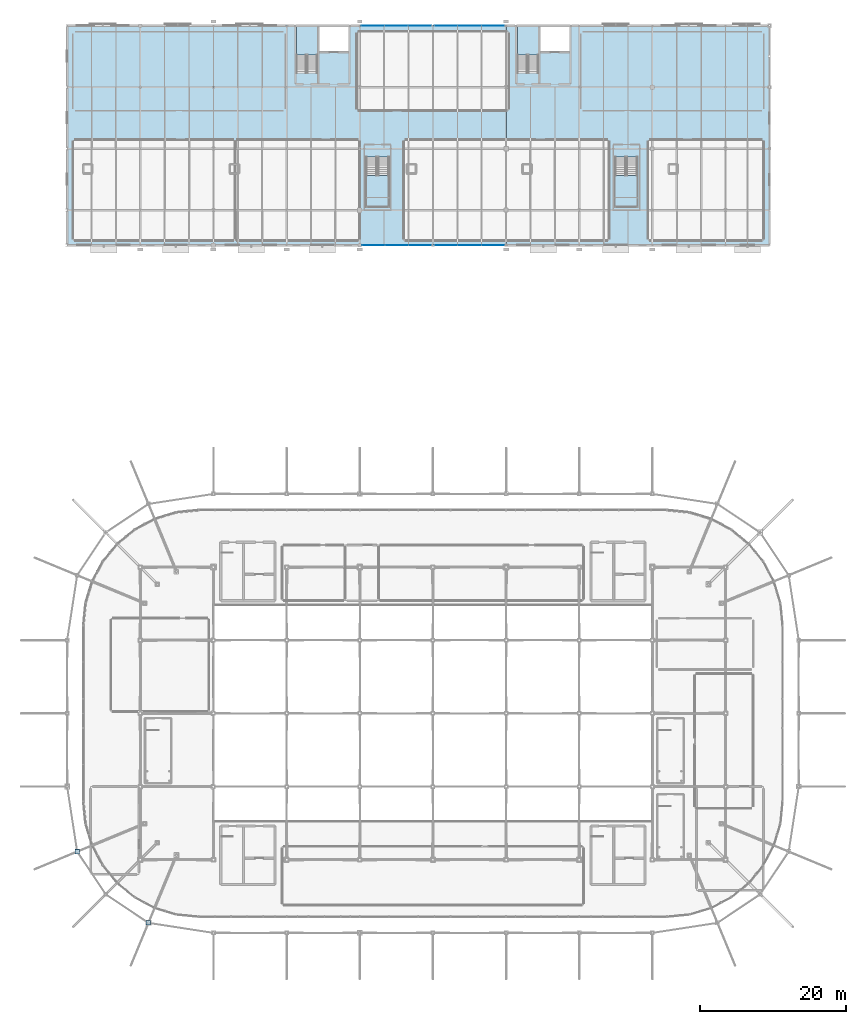
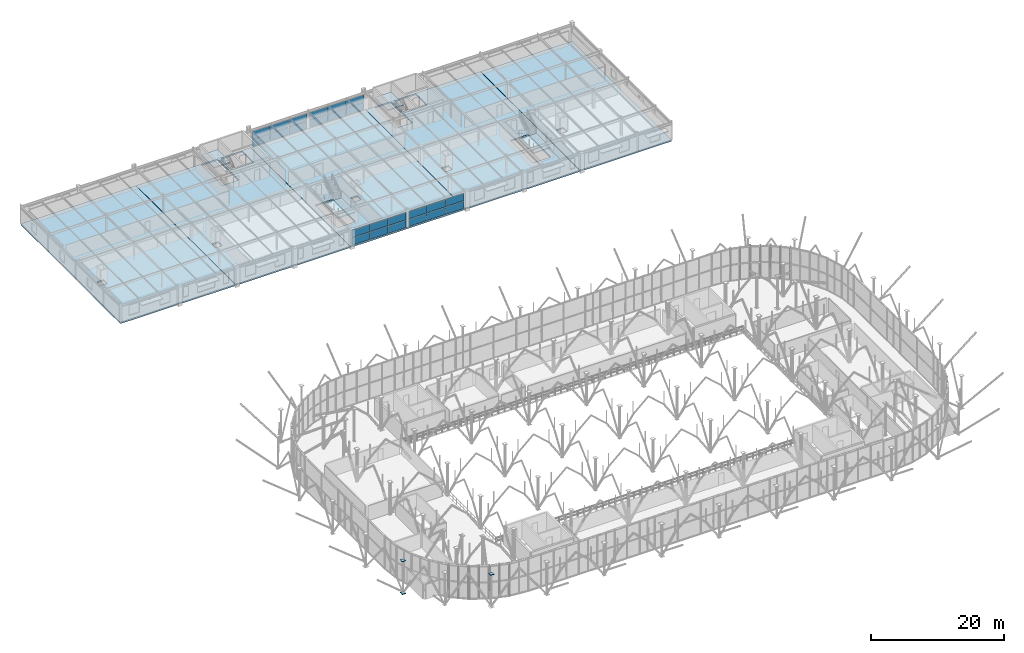
# One storey, part 92 of 109: 27 plates, 9 slabs, 8 elements without a shape of their own.
"""IFC4 building model written with IfcOpenShell, lengths in metres."""

from ifc_helpers import new_model, si_unit, derived_unit, direction, frame, origin, origin_2d_with_axis, place, context, subcontext, project, spatial, polyline, rectangle, outline, extrude, material, layer, layer_set, type_object, element, aggregate, save


model = new_model("IFC4")

# Units and contexts
model_context = context("Model", 3, precision=1e-05, world=origin(), true_north=direction((0.0, 1.0)))
body_context = subcontext(model_context, "Body", "Model", "MODEL_VIEW")
ifc_project = project(units=[si_unit("LENGTHUNIT", "METRE"), si_unit("AREAUNIT", "SQUARE_METRE"), si_unit("VOLUMEUNIT", "CUBIC_METRE"), si_unit("PLANEANGLEUNIT", "RADIAN"), si_unit("MASSUNIT", "GRAM", prefix="KILO"), derived_unit("THERMALTRANSMITTANCEUNIT", [(si_unit("POWERUNIT", "WATT"), 1), (si_unit("LENGTHUNIT", "METRE"), -2), (si_unit("THERMODYNAMICTEMPERATUREUNIT", "KELVIN"), -1)])], contexts=[model_context])

# Site, building, storey
site_placement = place(None, origin())
site = spatial("IfcSite", under=ifc_project, at=site_placement, CompositionType="ELEMENT")
building_placement = place(site_placement, origin())
building = spatial("IfcBuilding", under=site, at=building_placement, Name="Cinnabar Yard Market Hall", CompositionType="ELEMENT")
storey_placement = place(building_placement, frame((0.0, 0.0, 8.39990234375)))
storey = spatial("IfcBuildingStorey", under=building, at=storey_placement, Name="L02", CompositionType="ELEMENT", Elevation=8.39990234375)

# Curtain wall, plates
ifc_material_1 = material(Name="Anodised bronze aluminium courtyard facade", Category="aluminium")
curtain_wall_type_1 = type_object("IfcCurtainWallType", Name="CW-CWF096x29", PredefinedType="NOTDEFINED", material=ifc_material_1)
curtain_wall_1_placement = place(storey_placement, origin())
curtain_wall_1 = element("IfcCurtainWall", 1, at=curtain_wall_1_placement, inside=storey, type_object=curtain_wall_type_1, Name="Wing South Pishtaq Glazing L02 Bay 5", PredefinedType="NOTDEFINED")
ifc_material_2 = material(Name="Low-E laminated glass", Category="glass")
ifc_layer_1 = layer(ifc_material_2, 0.031982421875)
ifc_layer_set_1 = layer_set([ifc_layer_1], Name="Low-E laminated glass")
plate_type_1 = type_object("IfcPlateType", Name="CWP-GP308x135", PredefinedType="CURTAIN_PANEL", material=ifc_layer_set_1)
plate_1_placement = place(storey_placement, frame((107.870361328125, 108.0, 0.0751953125), z_axis=(0.0, 0.0, 1.0), x_axis=(1.0, 0.0, 0.0)))
plate_1 = element("IfcPlate", 2, at=plate_1_placement, type_object=plate_type_1, Name="CWF096x29 panel 1.1", PredefinedType="CURTAIN_PANEL", context=body_context, shape_type="SweptSolid", body=[
    extrude(rectangle(XDim=3.082763671875, YDim=0.031982421875, at=origin_2d_with_axis()), origin(), (0.0, 0.0, 1.0), 1.347412109375),
])
plate_2_placement = place(storey_placement, frame((107.870361328125, 108.0, 1.49755859375), z_axis=(0.0, 0.0, 1.0), x_axis=(1.0, 0.0, 0.0)))
plate_2 = element("IfcPlate", 3, at=plate_2_placement, type_object=plate_type_1, Name="CWF096x29 panel 1.2", PredefinedType="CURTAIN_PANEL", context=body_context, shape_type="SweptSolid", body=[
    extrude(rectangle(XDim=3.082763671875, YDim=0.031982421875, at=origin_2d_with_axis()), origin(), (0.0, 0.0, 1.0), 1.347412109375),
])
plate_3_placement = place(storey_placement, frame((114.2236328125, 108.0, 0.0751953125), z_axis=(0.0, 0.0, 1.0), x_axis=(1.0, 0.0, 0.0)))
plate_3 = element("IfcPlate", 4, at=plate_3_placement, type_object=plate_type_1, Name="CWF096x29 panel 3.1", PredefinedType="CURTAIN_PANEL", context=body_context, shape_type="SweptSolid", body=[
    extrude(rectangle(XDim=3.082763671875, YDim=0.031982421875, at=origin_2d_with_axis()), origin(), (0.0, 0.0, 1.0), 1.347412109375),
])
plate_4_placement = place(storey_placement, frame((114.2236328125, 108.0, 1.49755859375), z_axis=(0.0, 0.0, 1.0), x_axis=(1.0, 0.0, 0.0)))
plate_4 = element("IfcPlate", 5, at=plate_4_placement, type_object=plate_type_1, Name="CWF096x29 panel 3.2", PredefinedType="CURTAIN_PANEL", context=body_context, shape_type="SweptSolid", body=[
    extrude(rectangle(XDim=3.082763671875, YDim=0.031982421875, at=origin_2d_with_axis()), origin(), (0.0, 0.0, 1.0), 1.347412109375),
])

curtain_wall_type_2 = type_object("IfcCurtainWallType", Name="CW-CWF097x29", PredefinedType="NOTDEFINED", material=ifc_material_1)
curtain_wall_2_placement = place(storey_placement, origin())
curtain_wall_2 = element("IfcCurtainWall", 6, at=curtain_wall_2_placement, inside=storey, type_object=curtain_wall_type_2, Name="Wing North Pishtaq Glazing L02 Bay 5", PredefinedType="NOTDEFINED")
ifc_layer_2 = layer(ifc_material_2, 0.031982421875)
ifc_layer_set_2 = layer_set([ifc_layer_2], Name="Low-E laminated glass")
plate_type_2 = type_object("IfcPlateType", Name="CWP-GP311x135", PredefinedType="CURTAIN_PANEL", material=ifc_layer_set_2)
plate_5_placement = place(storey_placement, frame((114.2080078125, 138.0, 0.0751953125), z_axis=(0.0, 0.0, 1.0), x_axis=(-1.0, 0.0, 0.0)))
plate_5 = element("IfcPlate", 7, at=plate_5_placement, type_object=plate_type_2, Name="CWF097x29 panel 1.1", PredefinedType="CURTAIN_PANEL", context=body_context, shape_type="SweptSolid", body=[
    extrude(rectangle(XDim=3.1142578125, YDim=0.031982421875, at=origin_2d_with_axis()), origin(), (0.0, 0.0, 1.0), 1.347412109375),
])
plate_6_placement = place(storey_placement, frame((114.2080078125, 138.0, 1.49755859375), z_axis=(0.0, 0.0, 1.0), x_axis=(-1.0, 0.0, 0.0)))
plate_6 = element("IfcPlate", 8, at=plate_6_placement, type_object=plate_type_2, Name="CWF097x29 panel 1.2", PredefinedType="CURTAIN_PANEL", context=body_context, shape_type="SweptSolid", body=[
    extrude(rectangle(XDim=3.1142578125, YDim=0.031982421875, at=origin_2d_with_axis()), origin(), (0.0, 0.0, 1.0), 1.347412109375),
])
plate_7_placement = place(storey_placement, frame((107.7919921875, 138.0, 0.0751953125), z_axis=(0.0, 0.0, 1.0), x_axis=(-1.0, 0.0, 0.0)))
plate_7 = element("IfcPlate", 9, at=plate_7_placement, type_object=plate_type_2, Name="CWF097x29 panel 3.1", PredefinedType="CURTAIN_PANEL", context=body_context, shape_type="SweptSolid", body=[
    extrude(rectangle(XDim=3.1142578125, YDim=0.031982421875, at=origin_2d_with_axis()), origin(), (0.0, 0.0, 1.0), 1.347412109375),
])
plate_8_placement = place(storey_placement, frame((107.7919921875, 138.0, 1.49755859375), z_axis=(0.0, 0.0, 1.0), x_axis=(-1.0, 0.0, 0.0)))
plate_8 = element("IfcPlate", 10, at=plate_8_placement, type_object=plate_type_2, Name="CWF097x29 panel 3.2", PredefinedType="CURTAIN_PANEL", context=body_context, shape_type="SweptSolid", body=[
    extrude(rectangle(XDim=3.1142578125, YDim=0.031982421875, at=origin_2d_with_axis()), origin(), (0.0, 0.0, 1.0), 1.347412109375),
])

curtain_wall_3_placement = place(storey_placement, origin())
curtain_wall_3 = element("IfcCurtainWall", 11, at=curtain_wall_3_placement, inside=storey, type_object=curtain_wall_type_2, Name="Wing South Pishtaq Glazing L02 Bay 6", PredefinedType="NOTDEFINED")
plate_9_placement = place(storey_placement, frame((117.7919921875, 108.0, 0.0751953125), z_axis=(0.0, 0.0, 1.0), x_axis=(1.0, 0.0, 0.0)))
plate_9 = element("IfcPlate", 12, at=plate_9_placement, type_object=plate_type_2, Name="CWF097x29 panel 1.1", PredefinedType="CURTAIN_PANEL", context=body_context, shape_type="SweptSolid", body=[
    extrude(rectangle(XDim=3.1142578125, YDim=0.031982421875, at=origin_2d_with_axis()), origin(), (0.0, 0.0, 1.0), 1.347412109375),
])
plate_10_placement = place(storey_placement, frame((117.7919921875, 108.0, 1.49755859375), z_axis=(0.0, 0.0, 1.0), x_axis=(1.0, 0.0, 0.0)))
plate_10 = element("IfcPlate", 13, at=plate_10_placement, type_object=plate_type_2, Name="CWF097x29 panel 1.2", PredefinedType="CURTAIN_PANEL", context=body_context, shape_type="SweptSolid", body=[
    extrude(rectangle(XDim=3.1142578125, YDim=0.031982421875, at=origin_2d_with_axis()), origin(), (0.0, 0.0, 1.0), 1.347412109375),
])
plate_11_placement = place(storey_placement, frame((124.2080078125, 108.0, 0.0751953125), z_axis=(0.0, 0.0, 1.0), x_axis=(1.0, 0.0, 0.0)))
plate_11 = element("IfcPlate", 14, at=plate_11_placement, type_object=plate_type_2, Name="CWF097x29 panel 3.1", PredefinedType="CURTAIN_PANEL", context=body_context, shape_type="SweptSolid", body=[
    extrude(rectangle(XDim=3.1142578125, YDim=0.031982421875, at=origin_2d_with_axis()), origin(), (0.0, 0.0, 1.0), 1.347412109375),
])
plate_12_placement = place(storey_placement, frame((124.2080078125, 108.0, 1.49755859375), z_axis=(0.0, 0.0, 1.0), x_axis=(1.0, 0.0, 0.0)))
plate_12 = element("IfcPlate", 15, at=plate_12_placement, type_object=plate_type_2, Name="CWF097x29 panel 3.2", PredefinedType="CURTAIN_PANEL", context=body_context, shape_type="SweptSolid", body=[
    extrude(rectangle(XDim=3.1142578125, YDim=0.031982421875, at=origin_2d_with_axis()), origin(), (0.0, 0.0, 1.0), 1.347412109375),
])

curtain_wall_4_placement = place(storey_placement, origin())
curtain_wall_4 = element("IfcCurtainWall", 16, at=curtain_wall_4_placement, inside=storey, type_object=curtain_wall_type_2, Name="Wing North Pishtaq Glazing L02 Bay 6", PredefinedType="NOTDEFINED")
plate_13_placement = place(storey_placement, frame((124.2080078125, 138.0, 0.0751953125), z_axis=(0.0, 0.0, 1.0), x_axis=(-1.0, 0.0, 0.0)))
plate_13 = element("IfcPlate", 17, at=plate_13_placement, type_object=plate_type_2, Name="CWF097x29 panel 1.1", PredefinedType="CURTAIN_PANEL", context=body_context, shape_type="SweptSolid", body=[
    extrude(rectangle(XDim=3.1142578125, YDim=0.031982421875, at=origin_2d_with_axis()), origin(), (0.0, 0.0, 1.0), 1.347412109375),
])
plate_14_placement = place(storey_placement, frame((124.2080078125, 138.0, 1.49755859375), z_axis=(0.0, 0.0, 1.0), x_axis=(-1.0, 0.0, 0.0)))
plate_14 = element("IfcPlate", 18, at=plate_14_placement, type_object=plate_type_2, Name="CWF097x29 panel 1.2", PredefinedType="CURTAIN_PANEL", context=body_context, shape_type="SweptSolid", body=[
    extrude(rectangle(XDim=3.1142578125, YDim=0.031982421875, at=origin_2d_with_axis()), origin(), (0.0, 0.0, 1.0), 1.347412109375),
])
plate_15_placement = place(storey_placement, frame((117.7919921875, 138.0, 0.0751953125), z_axis=(0.0, 0.0, 1.0), x_axis=(-1.0, 0.0, 0.0)))
plate_15 = element("IfcPlate", 19, at=plate_15_placement, type_object=plate_type_2, Name="CWF097x29 panel 3.1", PredefinedType="CURTAIN_PANEL", context=body_context, shape_type="SweptSolid", body=[
    extrude(rectangle(XDim=3.1142578125, YDim=0.031982421875, at=origin_2d_with_axis()), origin(), (0.0, 0.0, 1.0), 1.347412109375),
])
plate_16_placement = place(storey_placement, frame((117.7919921875, 138.0, 1.49755859375), z_axis=(0.0, 0.0, 1.0), x_axis=(-1.0, 0.0, 0.0)))
plate_16 = element("IfcPlate", 20, at=plate_16_placement, type_object=plate_type_2, Name="CWF097x29 panel 3.2", PredefinedType="CURTAIN_PANEL", context=body_context, shape_type="SweptSolid", body=[
    extrude(rectangle(XDim=3.1142578125, YDim=0.031982421875, at=origin_2d_with_axis()), origin(), (0.0, 0.0, 1.0), 1.347412109375),
])

# Plate
ifc_layer_3 = layer(ifc_material_2, 0.031982421875)
ifc_layer_set_3 = layer_set([ifc_layer_3], Name="Low-E laminated glass")
plate_type_3 = type_object("IfcPlateType", Name="CWP-GP312x135", PredefinedType="CURTAIN_PANEL", material=ifc_layer_set_3)
plate_17_placement = place(storey_placement, frame((111.047119140625, 108.0, 0.0751953125), z_axis=(0.0, 0.0, 1.0), x_axis=(1.0, 0.0, 0.0)))
plate_17 = element("IfcPlate", 21, at=plate_17_placement, type_object=plate_type_3, Name="CWF096x29 panel 2.1", PredefinedType="CURTAIN_PANEL", context=body_context, shape_type="SweptSolid", body=[
    extrude(rectangle(XDim=3.120361328125, YDim=0.031982421875, at=origin_2d_with_axis()), origin(), (0.0, 0.0, 1.0), 1.347412109375),
])

plate_18_placement = place(storey_placement, frame((111.047119140625, 108.0, 1.49755859375), z_axis=(0.0, 0.0, 1.0), x_axis=(1.0, 0.0, 0.0)))
plate_18 = element("IfcPlate", 22, at=plate_18_placement, type_object=plate_type_3, Name="CWF096x29 panel 2.2", PredefinedType="CURTAIN_PANEL", context=body_context, shape_type="SweptSolid", body=[
    extrude(rectangle(XDim=3.120361328125, YDim=0.031982421875, at=origin_2d_with_axis()), origin(), (0.0, 0.0, 1.0), 1.347412109375),
])

aggregate(curtain_wall_1, [plate_1, plate_2, plate_17, plate_18, plate_3, plate_4])

ifc_layer_4 = layer(ifc_material_2, 0.031982421875)
ifc_layer_set_4 = layer_set([ifc_layer_4], Name="Low-E laminated glass")
plate_type_4 = type_object("IfcPlateType", Name="CWP-GP315x135", PredefinedType="CURTAIN_PANEL", material=ifc_layer_set_4)
plate_19_placement = place(storey_placement, frame((111.0, 138.0, 0.0751953125), z_axis=(0.0, 0.0, 1.0), x_axis=(-1.0, 0.0, 0.0)))
plate_19 = element("IfcPlate", 23, at=plate_19_placement, type_object=plate_type_4, Name="CWF097x29 panel 2.1", PredefinedType="CURTAIN_PANEL", context=body_context, shape_type="SweptSolid", body=[
    extrude(rectangle(XDim=3.151611328125, YDim=0.031982421875, at=origin_2d_with_axis()), origin(), (0.0, 0.0, 1.0), 1.347412109375),
])

plate_20_placement = place(storey_placement, frame((111.0, 138.0, 1.49755859375), z_axis=(0.0, 0.0, 1.0), x_axis=(-1.0, 0.0, 0.0)))
plate_20 = element("IfcPlate", 24, at=plate_20_placement, type_object=plate_type_4, Name="CWF097x29 panel 2.2", PredefinedType="CURTAIN_PANEL", context=body_context, shape_type="SweptSolid", body=[
    extrude(rectangle(XDim=3.151611328125, YDim=0.031982421875, at=origin_2d_with_axis()), origin(), (0.0, 0.0, 1.0), 1.347412109375),
])

aggregate(curtain_wall_2, [plate_5, plate_6, plate_19, plate_20, plate_7, plate_8])

plate_21_placement = place(storey_placement, frame((121.0, 108.0, 0.0751953125), z_axis=(0.0, 0.0, 1.0), x_axis=(1.0, 0.0, 0.0)))
plate_21 = element("IfcPlate", 25, at=plate_21_placement, type_object=plate_type_4, Name="CWF097x29 panel 2.1", PredefinedType="CURTAIN_PANEL", context=body_context, shape_type="SweptSolid", body=[
    extrude(rectangle(XDim=3.151611328125, YDim=0.031982421875, at=origin_2d_with_axis()), origin(), (0.0, 0.0, 1.0), 1.347412109375),
])

plate_22_placement = place(storey_placement, frame((121.0, 108.0, 1.49755859375), z_axis=(0.0, 0.0, 1.0), x_axis=(1.0, 0.0, 0.0)))
plate_22 = element("IfcPlate", 26, at=plate_22_placement, type_object=plate_type_4, Name="CWF097x29 panel 2.2", PredefinedType="CURTAIN_PANEL", context=body_context, shape_type="SweptSolid", body=[
    extrude(rectangle(XDim=3.151611328125, YDim=0.031982421875, at=origin_2d_with_axis()), origin(), (0.0, 0.0, 1.0), 1.347412109375),
])

aggregate(curtain_wall_3, [plate_9, plate_10, plate_21, plate_22, plate_11, plate_12])

plate_23_placement = place(storey_placement, frame((121.0, 138.0, 0.0751953125), z_axis=(0.0, 0.0, 1.0), x_axis=(-1.0, 0.0, 0.0)))
plate_23 = element("IfcPlate", 27, at=plate_23_placement, type_object=plate_type_4, Name="CWF097x29 panel 2.1", PredefinedType="CURTAIN_PANEL", context=body_context, shape_type="SweptSolid", body=[
    extrude(rectangle(XDim=3.151611328125, YDim=0.031982421875, at=origin_2d_with_axis()), origin(), (0.0, 0.0, 1.0), 1.347412109375),
])

plate_24_placement = place(storey_placement, frame((121.0, 138.0, 1.49755859375), z_axis=(0.0, 0.0, 1.0), x_axis=(-1.0, 0.0, 0.0)))
plate_24 = element("IfcPlate", 28, at=plate_24_placement, type_object=plate_type_4, Name="CWF097x29 panel 2.2", PredefinedType="CURTAIN_PANEL", context=body_context, shape_type="SweptSolid", body=[
    extrude(rectangle(XDim=3.151611328125, YDim=0.031982421875, at=origin_2d_with_axis()), origin(), (0.0, 0.0, 1.0), 1.347412109375),
])

aggregate(curtain_wall_4, [plate_13, plate_14, plate_23, plate_24, plate_15, plate_16])

# Plates
ifc_material_3 = material(Name="Steel Grade 350 (350 MPa)", Category="steel")
ifc_layer_5 = layer(ifc_material_3, 0.02392578125)
ifc_layer_set_5 = layer_set([ifc_layer_5], Name="Steel Grade 350 (350 MPa)")
plate_type_5 = type_object("IfcPlateType", Name="PL-NP04E", PredefinedType="SHEET", material=ifc_layer_set_5)
for number, where, z_axis, x_axis, name in (
    (29, (67.3701171875, 25.11181640625, 5.988037109375), (0.0, 0.0, 1.0), (1.0, 0.0, 0.0), "Tree Column Top Cap V1C-SW2"),
    (30, (77.11181640625, 15.3701171875, 5.988037109375), (0.0, 0.0, 1.0), (1.0, 0.0, 0.0), "Tree Column Top Cap V1C-SW6"),
):
    element("IfcPlate", number, at=place(storey_placement, frame(where, z_axis=z_axis, x_axis=x_axis)), inside=storey, type_object=plate_type_5, Name=name, PredefinedType="SHEET", context=body_context, shape_type="SweptSolid", body=[
        extrude(rectangle(XDim=0.6201171875, YDim=0.6201171875, at=origin_2d_with_axis()), origin(), (0.0, 0.0, 1.0), 0.02392578125),
    ])
ifc_layer_6 = layer(ifc_material_3, 0.035888671875)
ifc_layer_set_6 = layer_set([ifc_layer_6], Name="Steel Grade 350 (350 MPa)")
plate_type_6 = type_object("IfcPlateType", Name="PL-NP06E", PredefinedType="SHEET", material=ifc_layer_set_6)
plate_25_placement = place(storey_placement, frame((67.3701171875, 25.11181640625, -0.01806640625), z_axis=(0.0, 0.0, 1.0), x_axis=(1.0, 0.0, 0.0)))
element("IfcPlate", 31, at=plate_25_placement, inside=storey, type_object=plate_type_6, Name="Tree Collar Plate V1C-SW2", PredefinedType="SHEET", context=body_context, shape_type="SweptSolid", body=[
    extrude(rectangle(XDim=0.639892578125, YDim=0.639892578125, at=origin_2d_with_axis()), origin(), (0.0, 0.0, 1.0), 0.035888671875),
])

# Slabs
ifc_material_4 = material(Name="Concrete 40 MPa", Category="concrete")
ifc_layer_7 = layer(ifc_material_4, 0.25)
ifc_layer_set_7 = layer_set([ifc_layer_7], Name="Concrete 40 MPa")
slab_type_1 = type_object("IfcSlabType", Name="SL-L02", PredefinedType="FLOOR", material=ifc_layer_set_7)
slab_1_placement = place(storey_placement, frame((0.0, 0.0, -0.25)))
element("IfcSlab", 32, at=slab_1_placement, inside=storey, type_object=slab_type_1, Name="L02 Wing Floor Slab Bay 1", PredefinedType="FLOOR", context=body_context, shape_type="SweptSolid", body=[
    extrude(outline(polyline([(66.0, 108.0), (86.0, 108.0), (86.0, 138.0), (66.0, 138.0), (66.0, 108.0)]), holes=[polyline([(68.25, 117.85009765625), (69.39990234375, 117.85009765625), (69.39990234375, 119.0), (68.25, 119.0), (68.25, 117.85009765625)])]), origin(), (0.0, 0.0, 1.0), 0.25),
])
slab_2_placement = place(storey_placement, frame((0.0, 0.0, -0.25)))
element("IfcSlab", 33, at=slab_2_placement, inside=storey, type_object=slab_type_1, Name="L02 Wing Floor Slab Bay 2", PredefinedType="FLOOR", context=body_context, shape_type="SweptSolid", body=[
    extrude(outline(polyline([(86.0400390625, 108.0), (106.0, 108.0), (106.0, 138.0), (86.0400390625, 138.0), (86.0400390625, 108.0)]), holes=[polyline([(88.2900390625, 117.85009765625), (89.43994140625, 117.85009765625), (89.43994140625, 119.0), (88.2900390625, 119.0), (88.2900390625, 117.85009765625)]), polyline([(100.199951171875, 131.5048828125), (100.199951171875, 137.860107421875), (97.340087890625, 137.860107421875), (97.340087890625, 131.5048828125), (100.199951171875, 131.5048828125)]), polyline([(100.5, 134.449951171875), (104.449951171875, 134.449951171875), (104.449951171875, 137.85009765625), (100.5, 137.85009765625), (100.5, 134.449951171875)])]), origin(), (0.0, 0.0, 1.0), 0.25),
])
slab_3_placement = place(storey_placement, frame((0.0, 0.0, -0.25)))
element("IfcSlab", 34, at=slab_3_placement, inside=storey, type_object=slab_type_1, Name="L02 Wing Floor Slab Bay 3", PredefinedType="FLOOR", context=body_context, shape_type="SweptSolid", body=[
    extrude(outline(polyline([(106.0400390625, 108.0), (126.0, 108.0), (126.0, 138.0), (106.0400390625, 138.0), (106.0400390625, 108.0)]), holes=[polyline([(112.489990234375, 117.85009765625), (113.639892578125, 117.85009765625), (113.639892578125, 119.0), (112.489990234375, 119.0), (112.489990234375, 117.85009765625)]), polyline([(106.89990234375, 120.034912109375), (106.89990234375, 113.25), (109.9599609375, 113.25), (109.9599609375, 120.034912109375), (106.89990234375, 120.034912109375)])]), origin(), (0.0, 0.0, 1.0), 0.25),
])
slab_4_placement = place(storey_placement, frame((0.0, 0.0, -0.25)))
element("IfcSlab", 35, at=slab_4_placement, inside=storey, type_object=slab_type_1, Name="L02 Wing Floor Slab Bay 4", PredefinedType="FLOOR", context=body_context, shape_type="SweptSolid", body=[
    extrude(outline(polyline([(126.0400390625, 108.0), (146.0, 108.0), (146.0, 138.0), (126.0400390625, 138.0), (126.0400390625, 108.0)]), holes=[polyline([(128.2900390625, 117.85009765625), (129.43994140625, 117.85009765625), (129.43994140625, 119.0), (128.2900390625, 119.0), (128.2900390625, 117.85009765625)]), polyline([(130.39990234375, 131.5048828125), (130.39990234375, 137.860107421875), (127.5400390625, 137.860107421875), (127.5400390625, 131.5048828125), (130.39990234375, 131.5048828125)]), polyline([(130.699951171875, 134.449951171875), (134.64990234375, 134.449951171875), (134.64990234375, 137.85009765625), (130.699951171875, 137.85009765625), (130.699951171875, 134.449951171875)]), polyline([(140.89990234375, 120.034912109375), (140.89990234375, 113.25), (143.9599609375, 113.25), (143.9599609375, 120.034912109375), (140.89990234375, 120.034912109375)])]), origin(), (0.0, 0.0, 1.0), 0.25),
])
slab_5_placement = place(storey_placement, frame((0.0, 0.0, -0.25)))
element("IfcSlab", 36, at=slab_5_placement, inside=storey, type_object=slab_type_1, Name="L02 Wing Floor Slab Bay 5", PredefinedType="FLOOR", context=body_context, shape_type="SweptSolid", body=[
    extrude(outline(polyline([(146.0400390625, 108.0), (162.0, 108.0), (162.0, 138.0), (146.0400390625, 138.0), (146.0400390625, 108.0)]), holes=[polyline([(148.2900390625, 117.85009765625), (149.43994140625, 117.85009765625), (149.43994140625, 119.0), (148.2900390625, 119.0), (148.2900390625, 117.85009765625)])]), origin(), (0.0, 0.0, 1.0), 0.25),
])

# Stair, slab
stair_type_1 = type_object("IfcStairType", Name="ST-CORE", PredefinedType="HALF_TURN_STAIR", material=ifc_material_4)
stair_1_placement = place(storey_placement, origin())
stair_1 = element("IfcStair", 37, at=stair_1_placement, inside=storey, type_object=stair_type_1, Name="L02 Cooking School West Core Stair", PredefinedType="HALF_TURN_STAIR")
ifc_layer_8 = layer(ifc_material_4, 0.199951171875)
ifc_layer_set_8 = layer_set([ifc_layer_8], Name="Concrete 40 MPa")
slab_type_2 = type_object("IfcSlabType", Name="SL-LAND", PredefinedType="LANDING", material=ifc_layer_set_8)
slab_6_placement = place(storey_placement, frame((0.0, 0.0, 1.60009765625)))
slab_6 = element("IfcSlab", 38, at=slab_6_placement, type_object=slab_type_2, Name="ST-C5 landing 1", PredefinedType="LANDING", context=body_context, shape_type="SweptSolid", body=[
    extrude(outline(polyline([(100.199951171875, 134.010009765625), (100.199951171875, 137.860107421875), (97.340087890625, 137.860107421875), (97.340087890625, 134.010009765625), (100.199951171875, 134.010009765625)])), origin(), (0.0, 0.0, 1.0), 0.199951171875),
])
aggregate(stair_1, [slab_6])

stair_2_placement = place(storey_placement, origin())
stair_2 = element("IfcStair", 39, at=stair_2_placement, inside=storey, type_object=stair_type_1, Name="L02 Cooking School East Core Stair", PredefinedType="HALF_TURN_STAIR")
slab_7_placement = place(storey_placement, frame((0.0, 0.0, 1.60009765625)))
slab_7 = element("IfcSlab", 40, at=slab_7_placement, type_object=slab_type_2, Name="ST-C6 landing 1", PredefinedType="LANDING", context=body_context, shape_type="SweptSolid", body=[
    extrude(outline(polyline([(130.39990234375, 134.010009765625), (130.39990234375, 137.860107421875), (127.5400390625, 137.860107421875), (127.5400390625, 134.010009765625), (130.39990234375, 134.010009765625)])), origin(), (0.0, 0.0, 1.0), 0.199951171875),
])
aggregate(stair_2, [slab_7])

ifc_material_5 = material(Name="Spotted gum timber treads on steel Grade 350 (350 MPa)", Category="steel")
stair_type_2 = type_object("IfcStairType", Name="ST-FEAT", PredefinedType="HALF_TURN_STAIR", material=ifc_material_5)
stair_3_placement = place(storey_placement, origin())
stair_3 = element("IfcStair", 41, at=stair_3_placement, inside=storey, type_object=stair_type_2, Name="L02 Feature Stair ST-F4", PredefinedType="HALF_TURN_STAIR")
slab_8_placement = place(storey_placement, frame((0.0, 0.0, 1.60009765625)))
slab_8 = element("IfcSlab", 42, at=slab_8_placement, type_object=slab_type_2, Name="ST-F4 landing 1", PredefinedType="LANDING", context=body_context, shape_type="SweptSolid", body=[
    extrude(outline(polyline([(106.89990234375, 117.530029296875), (106.89990234375, 113.25), (109.9599609375, 113.25), (109.9599609375, 117.530029296875), (106.89990234375, 117.530029296875)])), origin(), (0.0, 0.0, 1.0), 0.199951171875),
])
aggregate(stair_3, [slab_8])

stair_4_placement = place(storey_placement, origin())
stair_4 = element("IfcStair", 43, at=stair_4_placement, inside=storey, type_object=stair_type_2, Name="L02 Feature Stair ST-F6", PredefinedType="HALF_TURN_STAIR")
slab_9_placement = place(storey_placement, frame((0.0, 0.0, 1.60009765625)))
slab_9 = element("IfcSlab", 44, at=slab_9_placement, type_object=slab_type_2, Name="ST-F6 landing 1", PredefinedType="LANDING", context=body_context, shape_type="SweptSolid", body=[
    extrude(outline(polyline([(140.89990234375, 117.530029296875), (140.89990234375, 113.25), (143.9599609375, 113.25), (143.9599609375, 117.530029296875), (140.89990234375, 117.530029296875)])), origin(), (0.0, 0.0, 1.0), 0.199951171875),
])
aggregate(stair_4, [slab_9])

save(model, "model.ifc")
